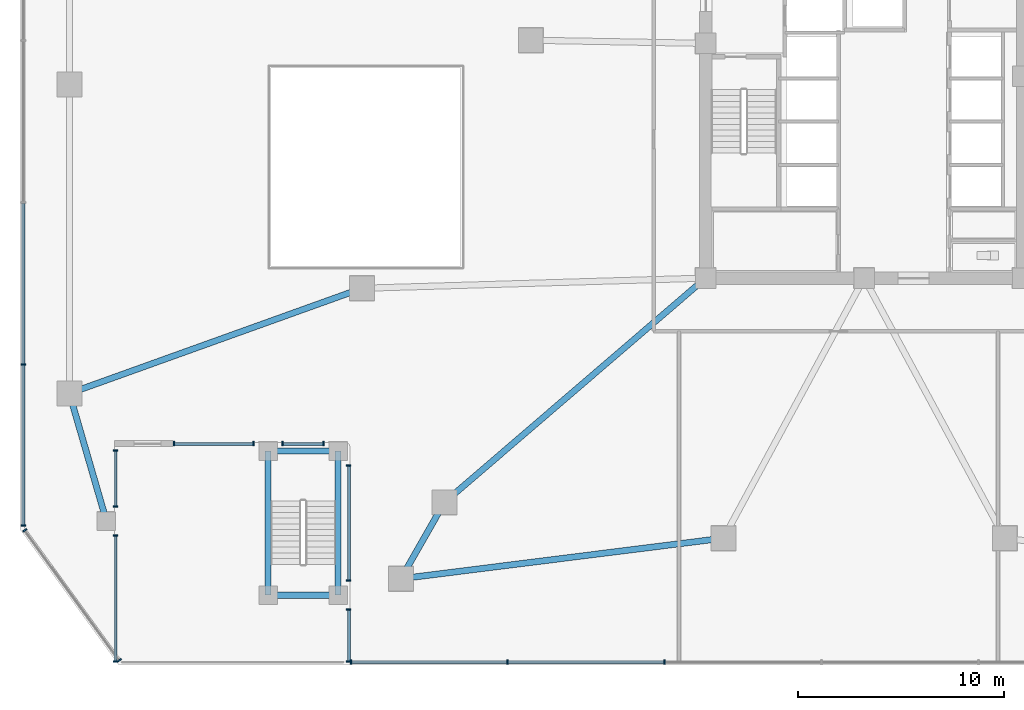
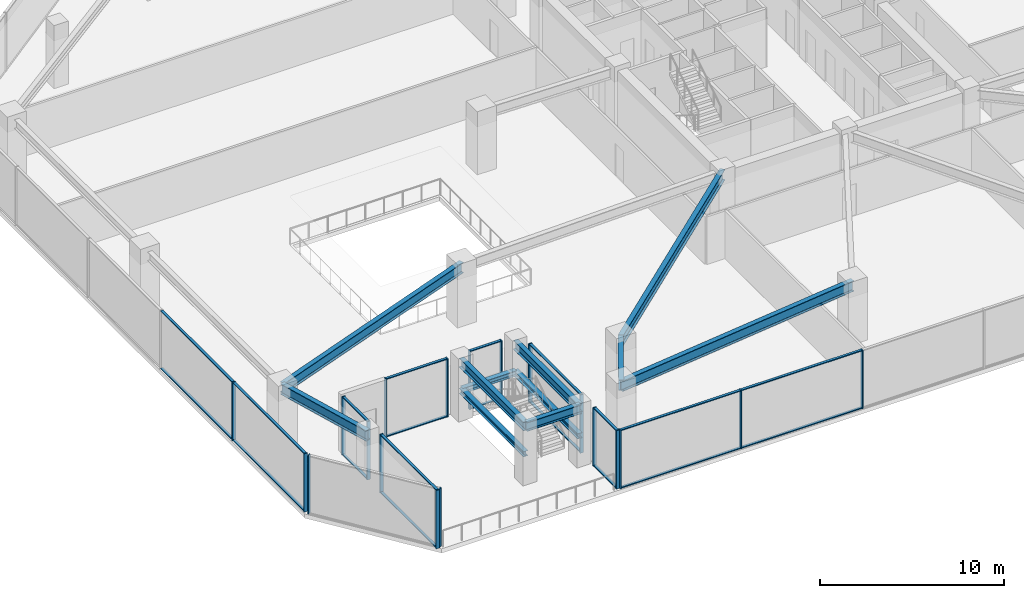
# One storey, part 2 of 22: 39 members, 11 beams, 9 elements without a shape of their own.
"""IFC4 building model written with IfcOpenShell, lengths in metres."""

from ifc_helpers import new_model, si_unit, direction, frame, origin, origin_2d, place, context, subcontext, project, spatial, rectangle, i_section, extrude, material, material_profile, profile_set, type_object, element, aggregate, save


model = new_model("IFC4")

# Units and contexts
model_context = context("Model", 3, precision=1e-05, world=origin(), true_north=direction((0.0, 1.0)))
body_context = subcontext(model_context, "Body", "Model", "MODEL_VIEW")
ifc_project = project(units=[si_unit("LENGTHUNIT", "METRE"), si_unit("AREAUNIT", "SQUARE_METRE"), si_unit("VOLUMEUNIT", "CUBIC_METRE"), si_unit("PLANEANGLEUNIT", "RADIAN"), si_unit("MASSUNIT", "GRAM", prefix="KILO")], contexts=[model_context])

# Site, building, storey
site_placement = place(None, origin())
site = spatial("IfcSite", under=ifc_project, at=site_placement, CompositionType="ELEMENT")
building_placement = place(site_placement, origin())
building = spatial("IfcBuilding", under=site, at=building_placement, Name="Savorim Split Tower", CompositionType="ELEMENT")
storey_placement = place(building_placement, frame((0.0, 0.0, 17.60009765625)))
storey = spatial("IfcBuildingStorey", under=building, at=storey_placement, Name="L04", CompositionType="ELEMENT", Elevation=17.60009765625)

# Beams
ifc_material_1 = material(Name="Steel S355", Category="steel")
ifc_material_profile_1 = material_profile(ifc_material_1, i_section(OverallWidth=0.300048828125, OverallDepth=0.60009765625, WebThickness=0.015380859375, FlangeThickness=0.030029296875, FilletRadius=0.027099609375, at=origin_2d()), Name="HEB 600")
ifc_profile_set_1 = profile_set([ifc_material_profile_1], Name="Steel S355")
beam_type_1 = type_object("IfcBeamType", Name="BM-PRI-HEB600", PredefinedType="BEAM", material=ifc_profile_set_1)
beam_1_placement = place(storey_placement, frame((-28.949951171875, -24.800048828125, 3.579833984375), z_axis=(1.0, 0.0, 0.0), x_axis=(0.0, 1.0, 0.0)))
element("IfcBeam", 1, at=beam_1_placement, inside=storey, type_object=beam_type_1, Name="L04 Exterior Garden Stair Framing Beam 1", PredefinedType="BEAM", context=body_context, shape_type="SweptSolid", body=[
    extrude(i_section(OverallWidth=0.300048828125, OverallDepth=0.60009765625, WebThickness=0.015380859375, FlangeThickness=0.030029296875, FilletRadius=0.027099609375, at=origin_2d()), origin(), (0.0, 0.0, 1.0), 3.39990234375),
])
for number, where, z_axis, x_axis, name in (
    (2, (-28.949951171875, -24.800048828125, 3.579833984375), (0.0, 1.0, 0.0), (-1.0, 0.0, 0.0), "L04 Exterior Garden Stair Framing Beam 3"),
    (3, (-25.550048828125, -24.800048828125, 3.579833984375), (0.0, 1.0, 0.0), (-1.0, 0.0, 0.0), "L04 Exterior Garden Stair Framing Beam 4"),
):
    element("IfcBeam", number, at=place(storey_placement, frame(where, z_axis=z_axis, x_axis=x_axis)), inside=storey, type_object=beam_type_1, Name=name, PredefinedType="BEAM", context=body_context, shape_type="SweptSolid", body=[
        extrude(i_section(OverallWidth=0.300048828125, OverallDepth=0.60009765625, WebThickness=0.015380859375, FlangeThickness=0.030029296875, FilletRadius=0.027099609375, at=origin_2d()), origin(), (0.0, 0.0, 1.0), 7.0),
    ])
ifc_material_profile_2 = material_profile(ifc_material_1, i_section(OverallWidth=0.300048828125, OverallDepth=0.699951171875, WebThickness=0.01708984375, FlangeThickness=0.031982421875, FilletRadius=0.027099609375, at=origin_2d()), Name="HEB 700")
ifc_profile_set_2 = profile_set([ifc_material_profile_2], Name="Steel S355")
beam_type_2 = type_object("IfcBeamType", Name="BM-PRI-HEB700", PredefinedType="BEAM", material=ifc_profile_set_2)
beam_2_placement = place(storey_placement, frame((-22.5, -24.0, 3.52978515625), z_axis=(0.495603085314, 0.868549124591, 0.0), x_axis=(-0.868549124591, 0.495603085314, 0.0)))
element("IfcBeam", 4, at=beam_2_placement, inside=storey, type_object=beam_type_2, Name="L04 Podium Primary Girder BG-01", PredefinedType="BEAM", context=body_context, shape_type="SweptSolid", body=[
    extrude(i_section(OverallWidth=0.300048828125, OverallDepth=0.699951171875, WebThickness=0.01708984375, FlangeThickness=0.031982421875, FilletRadius=0.027099609375, at=origin_2d()), origin(), (0.0, 0.0, 1.0), 4.26953125),
])
beam_3_placement = place(storey_placement, frame((-22.5, -24.0, 3.52978515625), z_axis=(0.992201816191, 0.124641710303, 0.0), x_axis=(-0.124641710303, 0.992201816191, 0.0)))
element("IfcBeam", 5, at=beam_3_placement, inside=storey, type_object=beam_type_2, Name="L04 Podium Primary Girder BG-02", PredefinedType="BEAM", context=body_context, shape_type="SweptSolid", body=[
    extrude(i_section(OverallWidth=0.300048828125, OverallDepth=0.699951171875, WebThickness=0.01708984375, FlangeThickness=0.031982421875, FilletRadius=0.027099609375, at=origin_2d()), origin(), (0.0, 0.0, 1.0), 15.791259765625),
])
beam_4_placement = place(storey_placement, frame((-38.60009765625, -15.0, 3.52978515625), z_axis=(0.941138119123, 0.338022248874, 0.0), x_axis=(-0.338022248874, 0.941138119123, 0.0)))
element("IfcBeam", 6, at=beam_4_placement, inside=storey, type_object=beam_type_2, Name="L04 Podium Primary Girder BG-19", PredefinedType="BEAM", context=body_context, shape_type="SweptSolid", body=[
    extrude(i_section(OverallWidth=0.300048828125, OverallDepth=0.699951171875, WebThickness=0.01708984375, FlangeThickness=0.031982421875, FilletRadius=0.027099609375, at=origin_2d()), origin(), (0.0, 0.0, 1.0), 15.104736328125),
])
beam_5_placement = place(storey_placement, frame((-38.60009765625, -15.0, 3.52978515625), z_axis=(0.278819195264, -0.960343613689, 0.0), x_axis=(0.960343613689, 0.278819195264, 0.0)))
element("IfcBeam", 7, at=beam_5_placement, inside=storey, type_object=beam_type_2, Name="L04 Podium Primary Girder BG-20", PredefinedType="BEAM", context=body_context, shape_type="SweptSolid", body=[
    extrude(i_section(OverallWidth=0.300048828125, OverallDepth=0.699951171875, WebThickness=0.01708984375, FlangeThickness=0.031982421875, FilletRadius=0.027099609375, at=origin_2d()), origin(), (0.0, 0.0, 1.0), 6.4560546875),
])
beam_6_placement = place(storey_placement, frame((-20.384033203125, -20.291748046875, 3.52978515625), z_axis=(0.758671842154, 0.651472974054, 0.0), x_axis=(-0.651472974054, 0.758671842154, 0.0)))
element("IfcBeam", 8, at=beam_6_placement, inside=storey, type_object=beam_type_2, Name="L04 Podium Primary Girder BG-22", PredefinedType="BEAM", context=body_context, shape_type="SweptSolid", body=[
    extrude(i_section(OverallWidth=0.300048828125, OverallDepth=0.699951171875, WebThickness=0.01708984375, FlangeThickness=0.031982421875, FilletRadius=0.027099609375, at=origin_2d()), origin(), (0.0, 0.0, 1.0), 16.71875),
])
ifc_material_profile_3 = material_profile(ifc_material_1, i_section(OverallWidth=0.300048828125, OverallDepth=0.35009765625, WebThickness=0.010009765625, FlangeThickness=0.017578125, FilletRadius=0.027099609375, at=origin_2d()), Name="HEA 360")
ifc_profile_set_3 = profile_set([ifc_material_profile_3], Name="Steel S355")
beam_type_3 = type_object("IfcBeamType", Name="BM-SPN-HEA360", PredefinedType="SPANDREL", material=ifc_profile_set_3)
beam_7_placement = place(storey_placement, frame((-28.949951171875, -17.800048828125, 1.724853515625), z_axis=(1.0, 0.0, 0.0), x_axis=(0.0, 1.0, 0.0)))
element("IfcBeam", 9, at=beam_7_placement, inside=storey, type_object=beam_type_3, Name="L04 Garden Stair Half-Landing Beam 1", PredefinedType="SPANDREL", context=body_context, shape_type="SweptSolid", body=[
    extrude(i_section(OverallWidth=0.300048828125, OverallDepth=0.35009765625, WebThickness=0.010009765625, FlangeThickness=0.017578125, FilletRadius=0.027099609375, at=origin_2d()), origin(), (0.0, 0.0, 1.0), 3.39990234375),
])
for number, where, z_axis, x_axis, name in (
    (10, (-28.949951171875, -24.800048828125, 1.724853515625), (0.0, 1.0, 0.0), (-1.0, 0.0, 0.0), "L04 Garden Stair Half-Landing Beam 2"),
    (11, (-25.550048828125, -24.800048828125, 1.724853515625), (0.0, 1.0, 0.0), (-1.0, 0.0, 0.0), "L04 Garden Stair Half-Landing Beam 3"),
):
    element("IfcBeam", number, at=place(storey_placement, frame(where, z_axis=z_axis, x_axis=x_axis)), inside=storey, type_object=beam_type_3, Name=name, PredefinedType="SPANDREL", context=body_context, shape_type="SweptSolid", body=[
        extrude(i_section(OverallWidth=0.300048828125, OverallDepth=0.35009765625, WebThickness=0.010009765625, FlangeThickness=0.017578125, FilletRadius=0.027099609375, at=origin_2d()), origin(), (0.0, 0.0, 1.0), 7.0),
    ])

# Curtain wall, members
ifc_material_2 = material(Name="Dark Ceramic-Fritted Insulated Glass", Category="glass")
curtain_wall_type = type_object("IfcCurtainWallType", Name="CW-POD-GLZ", PredefinedType="NOTDEFINED", material=ifc_material_2)
curtain_wall_1_placement = place(storey_placement, origin())
curtain_wall_1 = element("IfcCurtainWall", 12, at=curtain_wall_1_placement, inside=storey, type_object=curtain_wall_type, Name="L04 Curtain Wall CW-L04-E01S1", PredefinedType="NOTDEFINED")
ifc_material_3 = material(Name="Charcoal Anodised Aluminium", Category="aluminium")
ifc_material_profile_4 = material_profile(ifc_material_3, rectangle(XDim=0.219970703125, YDim=0.070068359375, at=origin_2d()), Name="ALU-M 220x70")
ifc_profile_set_4 = profile_set([ifc_material_profile_4], Name="Charcoal Anodised Aluminium")
member_type_1 = type_object("IfcMemberType", Name="CWM-220x70", PredefinedType="MULLION", material=ifc_profile_set_4)
member_1_placement = place(storey_placement, frame((-36.360107421875, -28.02490234375, 0.0), z_axis=(0.0, 0.0, 1.0), x_axis=(-1.0, 0.0, 0.0)))
member_1 = element("IfcMember", 13, at=member_1_placement, type_object=member_type_1, Name="CW-01 mullion 1", PredefinedType="MULLION", context=body_context, shape_type="SweptSolid", body=[
    extrude(rectangle(XDim=0.219970703125, YDim=0.070068359375, at=origin_2d()), origin(), (0.0, 0.0, 1.0), 3.8798828125),
])
member_2_placement = place(storey_placement, frame((-36.360107421875, -21.905029296875, 0.0), z_axis=(0.0, 0.0, 1.0), x_axis=(-1.0, 0.0, 0.0)))
member_2 = element("IfcMember", 14, at=member_2_placement, type_object=member_type_1, Name="CW-01 mullion 2", PredefinedType="MULLION", context=body_context, shape_type="SweptSolid", body=[
    extrude(rectangle(XDim=0.219970703125, YDim=0.070068359375, at=origin_2d()), origin(), (0.0, 0.0, 1.0), 3.8798828125),
])

curtain_wall_2_placement = place(storey_placement, origin())
curtain_wall_2 = element("IfcCurtainWall", 15, at=curtain_wall_2_placement, inside=storey, type_object=curtain_wall_type, Name="L04 Curtain Wall CW-L04-E01S2", PredefinedType="NOTDEFINED")
member_3_placement = place(storey_placement, frame((-36.360107421875, -20.4951171875, 0.0), z_axis=(0.0, 0.0, 1.0), x_axis=(-1.0, 0.0, 0.0)))
member_3 = element("IfcMember", 16, at=member_3_placement, type_object=member_type_1, Name="CW-01 mullion 1", PredefinedType="MULLION", context=body_context, shape_type="SweptSolid", body=[
    extrude(rectangle(XDim=0.219970703125, YDim=0.070068359375, at=origin_2d()), origin(), (0.0, 0.0, 1.0), 3.8798828125),
])
member_4_placement = place(storey_placement, frame((-36.360107421875, -17.77490234375, 0.0), z_axis=(0.0, 0.0, 1.0), x_axis=(-1.0, 0.0, 0.0)))
member_4 = element("IfcMember", 17, at=member_4_placement, type_object=member_type_1, Name="CW-01 mullion 2", PredefinedType="MULLION", context=body_context, shape_type="SweptSolid", body=[
    extrude(rectangle(XDim=0.219970703125, YDim=0.070068359375, at=origin_2d()), origin(), (0.0, 0.0, 1.0), 3.8798828125),
])

curtain_wall_3_placement = place(storey_placement, origin())
curtain_wall_3 = element("IfcCurtainWall", 18, at=curtain_wall_3_placement, inside=storey, type_object=curtain_wall_type, Name="L04 Curtain Wall CW-L04-E02S1", PredefinedType="NOTDEFINED")
member_5_placement = place(storey_placement, frame((-33.52490234375, -17.43994140625, 0.0), z_axis=(0.0, 0.0, 1.0), x_axis=(0.0, 1.0, 0.0)))
member_5 = element("IfcMember", 19, at=member_5_placement, type_object=member_type_1, Name="CW-01 mullion 1", PredefinedType="MULLION", context=body_context, shape_type="SweptSolid", body=[
    extrude(rectangle(XDim=0.219970703125, YDim=0.070068359375, at=origin_2d()), origin(), (0.0, 0.0, 1.0), 3.8798828125),
])
member_6_placement = place(storey_placement, frame((-29.655029296875, -17.43994140625, 0.0), z_axis=(0.0, 0.0, 1.0), x_axis=(0.0, 1.0, 0.0)))
member_6 = element("IfcMember", 20, at=member_6_placement, type_object=member_type_1, Name="CW-01 mullion 2", PredefinedType="MULLION", context=body_context, shape_type="SweptSolid", body=[
    extrude(rectangle(XDim=0.219970703125, YDim=0.070068359375, at=origin_2d()), origin(), (0.0, 0.0, 1.0), 3.8798828125),
])

curtain_wall_4_placement = place(storey_placement, origin())
curtain_wall_4 = element("IfcCurtainWall", 21, at=curtain_wall_4_placement, inside=storey, type_object=curtain_wall_type, Name="L04 Curtain Wall CW-L04-E02S2", PredefinedType="NOTDEFINED")
member_7_placement = place(storey_placement, frame((-28.2451171875, -17.43994140625, 0.0), z_axis=(0.0, 0.0, 1.0), x_axis=(0.0, 1.0, 0.0)))
member_7 = element("IfcMember", 22, at=member_7_placement, type_object=member_type_1, Name="CW-01 mullion 1", PredefinedType="MULLION", context=body_context, shape_type="SweptSolid", body=[
    extrude(rectangle(XDim=0.219970703125, YDim=0.070068359375, at=origin_2d()), origin(), (0.0, 0.0, 1.0), 3.8798828125),
])
member_8_placement = place(storey_placement, frame((-26.2548828125, -17.43994140625, 0.0), z_axis=(0.0, 0.0, 1.0), x_axis=(0.0, 1.0, 0.0)))
member_8 = element("IfcMember", 23, at=member_8_placement, type_object=member_type_1, Name="CW-01 mullion 2", PredefinedType="MULLION", context=body_context, shape_type="SweptSolid", body=[
    extrude(rectangle(XDim=0.219970703125, YDim=0.070068359375, at=origin_2d()), origin(), (0.0, 0.0, 1.0), 3.8798828125),
])

curtain_wall_5_placement = place(storey_placement, origin())
curtain_wall_5 = element("IfcCurtainWall", 24, at=curtain_wall_5_placement, inside=storey, type_object=curtain_wall_type, Name="L04 Curtain Wall CW-L04-E03S1", PredefinedType="NOTDEFINED")
member_9_placement = place(storey_placement, frame((-25.0400390625, -18.5048828125, 0.0), z_axis=(0.0, 0.0, 1.0), x_axis=(1.0, 0.0, 0.0)))
member_9 = element("IfcMember", 25, at=member_9_placement, type_object=member_type_1, Name="CW-01 mullion 1", PredefinedType="MULLION", context=body_context, shape_type="SweptSolid", body=[
    extrude(rectangle(XDim=0.219970703125, YDim=0.070068359375, at=origin_2d()), origin(), (0.0, 0.0, 1.0), 3.8798828125),
])
member_10_placement = place(storey_placement, frame((-25.0400390625, -24.094970703125, 0.0), z_axis=(0.0, 0.0, 1.0), x_axis=(1.0, 0.0, 0.0)))
member_10 = element("IfcMember", 26, at=member_10_placement, type_object=member_type_1, Name="CW-01 mullion 2", PredefinedType="MULLION", context=body_context, shape_type="SweptSolid", body=[
    extrude(rectangle(XDim=0.219970703125, YDim=0.070068359375, at=origin_2d()), origin(), (0.0, 0.0, 1.0), 3.8798828125),
])

curtain_wall_6_placement = place(storey_placement, origin())
curtain_wall_6 = element("IfcCurtainWall", 27, at=curtain_wall_6_placement, inside=storey, type_object=curtain_wall_type, Name="L04 Curtain Wall CW-L04-E03S2", PredefinedType="NOTDEFINED")
member_11_placement = place(storey_placement, frame((-25.0400390625, -25.5048828125, 0.0), z_axis=(0.0, 0.0, 1.0), x_axis=(1.0, 0.0, 0.0)))
member_11 = element("IfcMember", 28, at=member_11_placement, type_object=member_type_1, Name="CW-01 mullion 1", PredefinedType="MULLION", context=body_context, shape_type="SweptSolid", body=[
    extrude(rectangle(XDim=0.219970703125, YDim=0.070068359375, at=origin_2d()), origin(), (0.0, 0.0, 1.0), 3.8798828125),
])
member_12_placement = place(storey_placement, frame((-25.0400390625, -28.02490234375, 0.0), z_axis=(0.0, 0.0, 1.0), x_axis=(1.0, 0.0, 0.0)))
member_12 = element("IfcMember", 29, at=member_12_placement, type_object=member_type_1, Name="CW-01 mullion 2", PredefinedType="MULLION", context=body_context, shape_type="SweptSolid", body=[
    extrude(rectangle(XDim=0.219970703125, YDim=0.070068359375, at=origin_2d()), origin(), (0.0, 0.0, 1.0), 3.8798828125),
])

curtain_wall_7_placement = place(storey_placement, origin())
curtain_wall_7 = element("IfcCurtainWall", 30, at=curtain_wall_7_placement, inside=storey, type_object=curtain_wall_type, Name="L04 Curtain Wall CW-L04-E04", PredefinedType="NOTDEFINED")
member_13_placement = place(storey_placement, frame((-24.919921875, -28.0400390625, 0.0), z_axis=(0.0, 0.0, 1.0), x_axis=(0.0, 1.0, 0.0)))
member_13 = element("IfcMember", 31, at=member_13_placement, type_object=member_type_1, Name="CW-01 mullion 1", PredefinedType="MULLION", context=body_context, shape_type="SweptSolid", body=[
    extrude(rectangle(XDim=0.219970703125, YDim=0.070068359375, at=origin_2d()), origin(), (0.0, 0.0, 1.0), 3.8798828125),
])
member_14_placement = place(storey_placement, frame((-17.328125, -28.0400390625, 0.0), z_axis=(0.0, 0.0, 1.0), x_axis=(0.0, 1.0, 0.0)))
member_14 = element("IfcMember", 32, at=member_14_placement, type_object=member_type_1, Name="CW-01 mullion 2", PredefinedType="MULLION", context=body_context, shape_type="SweptSolid", body=[
    extrude(rectangle(XDim=0.219970703125, YDim=0.070068359375, at=origin_2d()), origin(), (0.0, 0.0, 1.0), 3.8798828125),
])
member_15_placement = place(storey_placement, frame((-9.701171875, -28.0400390625, 0.0), z_axis=(0.0, 0.0, 1.0), x_axis=(0.0, 1.0, 0.0)))
member_15 = element("IfcMember", 33, at=member_15_placement, type_object=member_type_1, Name="CW-01 mullion 3", PredefinedType="MULLION", context=body_context, shape_type="SweptSolid", body=[
    extrude(rectangle(XDim=0.219970703125, YDim=0.070068359375, at=origin_2d()), origin(), (0.0, 0.0, 1.0), 3.8798828125),
])

curtain_wall_8_placement = place(storey_placement, origin())
curtain_wall_8 = element("IfcCurtainWall", 34, at=curtain_wall_8_placement, inside=storey, type_object=curtain_wall_type, Name="L04 Curtain Wall CW-L04-E10", PredefinedType="NOTDEFINED")
member_16_placement = place(storey_placement, frame((-40.840087890625, -13.595947265625, 0.0), z_axis=(0.0, 0.0, 1.0), x_axis=(1.0, 0.0, 0.0)))
member_16 = element("IfcMember", 35, at=member_16_placement, type_object=member_type_1, Name="CW-01 mullion 5", PredefinedType="MULLION", context=body_context, shape_type="SweptSolid", body=[
    extrude(rectangle(XDim=0.219970703125, YDim=0.070068359375, at=origin_2d()), origin(), (0.0, 0.0, 1.0), 3.8798828125),
])
member_17_placement = place(storey_placement, frame((-40.840087890625, -21.425048828125, 0.0), z_axis=(0.0, 0.0, 1.0), x_axis=(1.0, 0.0, 0.0)))
member_17 = element("IfcMember", 36, at=member_17_placement, type_object=member_type_1, Name="CW-01 mullion 6", PredefinedType="MULLION", context=body_context, shape_type="SweptSolid", body=[
    extrude(rectangle(XDim=0.219970703125, YDim=0.070068359375, at=origin_2d()), origin(), (0.0, 0.0, 1.0), 3.8798828125),
])

curtain_wall_9_placement = place(storey_placement, origin())
curtain_wall_9 = element("IfcCurtainWall", 37, at=curtain_wall_9_placement, inside=storey, type_object=curtain_wall_type, Name="L04 Curtain Wall CW-L04-E11", PredefinedType="NOTDEFINED")
member_18_placement = place(storey_placement, frame((-40.767822265625, -21.6474609375, 0.0), z_axis=(0.0, 0.0, 1.0), x_axis=(0.808732792063, 0.588176224478, 0.0)))
member_18 = element("IfcMember", 38, at=member_18_placement, type_object=member_type_1, Name="CW-01 mullion 1", PredefinedType="MULLION", context=body_context, shape_type="SweptSolid", body=[
    extrude(rectangle(XDim=0.219970703125, YDim=0.070068359375, at=origin_2d()), origin(), (0.0, 0.0, 1.0), 3.8798828125),
])
member_19_placement = place(storey_placement, frame((-36.173583984375, -27.96435546875, 0.0), z_axis=(0.0, 0.0, 1.0), x_axis=(0.808732792063, 0.588176224478, 0.0)))
member_19 = element("IfcMember", 39, at=member_19_placement, type_object=member_type_1, Name="CW-01 mullion 2", PredefinedType="MULLION", context=body_context, shape_type="SweptSolid", body=[
    extrude(rectangle(XDim=0.219970703125, YDim=0.070068359375, at=origin_2d()), origin(), (0.0, 0.0, 1.0), 3.8798828125),
])
aggregate(curtain_wall_9, [member_18, member_19])

# Member
ifc_material_profile_5 = material_profile(ifc_material_3, rectangle(XDim=0.159912109375, YDim=0.06005859375, at=origin_2d()), Name="ALU-T 160x60")
ifc_profile_set_5 = profile_set([ifc_material_profile_5], Name="Charcoal Anodised Aluminium")
member_type_2 = type_object("IfcMemberType", Name="CWT-160x60", PredefinedType="USERDEFINED", material=ifc_profile_set_5)
member_20_placement = place(storey_placement, frame((-36.360107421875, -27.989990234375, 0.02978515625), z_axis=(0.0, 1.0, 0.0), x_axis=(-1.0, 0.0, 0.0)))
member_20 = element("IfcMember", 40, at=member_20_placement, type_object=member_type_2, Name="CW-01 transom 1.1", ObjectType="TRANSOM", PredefinedType="USERDEFINED", context=body_context, shape_type="SweptSolid", body=[
    extrude(rectangle(XDim=0.159912109375, YDim=0.06005859375, at=origin_2d()), origin(), (0.0, 0.0, 1.0), 6.050048828125),
])

member_21_placement = place(storey_placement, frame((-36.360107421875, -27.989990234375, 3.849853515625), z_axis=(0.0, 1.0, 0.0), x_axis=(-1.0, 0.0, 0.0)))
member_21 = element("IfcMember", 41, at=member_21_placement, type_object=member_type_2, Name="CW-01 transom 1.2", ObjectType="TRANSOM", PredefinedType="USERDEFINED", context=body_context, shape_type="SweptSolid", body=[
    extrude(rectangle(XDim=0.159912109375, YDim=0.06005859375, at=origin_2d()), origin(), (0.0, 0.0, 1.0), 6.050048828125),
])

aggregate(curtain_wall_1, [member_1, member_2, member_20, member_21])

member_22_placement = place(storey_placement, frame((-36.360107421875, -20.4599609375, 0.02978515625), z_axis=(0.0, 1.0, 0.0), x_axis=(-1.0, 0.0, 0.0)))
member_22 = element("IfcMember", 42, at=member_22_placement, type_object=member_type_2, Name="CW-01 transom 1.1", ObjectType="TRANSOM", PredefinedType="USERDEFINED", context=body_context, shape_type="SweptSolid", body=[
    extrude(rectangle(XDim=0.159912109375, YDim=0.06005859375, at=origin_2d()), origin(), (0.0, 0.0, 1.0), 2.64990234375),
])

member_23_placement = place(storey_placement, frame((-36.360107421875, -20.4599609375, 3.849853515625), z_axis=(0.0, 1.0, 0.0), x_axis=(-1.0, 0.0, 0.0)))
member_23 = element("IfcMember", 43, at=member_23_placement, type_object=member_type_2, Name="CW-01 transom 1.2", ObjectType="TRANSOM", PredefinedType="USERDEFINED", context=body_context, shape_type="SweptSolid", body=[
    extrude(rectangle(XDim=0.159912109375, YDim=0.06005859375, at=origin_2d()), origin(), (0.0, 0.0, 1.0), 2.64990234375),
])

aggregate(curtain_wall_2, [member_3, member_4, member_22, member_23])

member_24_placement = place(storey_placement, frame((-33.489990234375, -17.43994140625, 0.02978515625), z_axis=(1.0, 0.0, 0.0), x_axis=(0.0, 1.0, 0.0)))
member_24 = element("IfcMember", 44, at=member_24_placement, type_object=member_type_2, Name="CW-01 transom 1.1", ObjectType="TRANSOM", PredefinedType="USERDEFINED", context=body_context, shape_type="SweptSolid", body=[
    extrude(rectangle(XDim=0.159912109375, YDim=0.06005859375, at=origin_2d()), origin(), (0.0, 0.0, 1.0), 3.800048828125),
])

member_25_placement = place(storey_placement, frame((-33.489990234375, -17.43994140625, 3.849853515625), z_axis=(1.0, 0.0, 0.0), x_axis=(0.0, 1.0, 0.0)))
member_25 = element("IfcMember", 45, at=member_25_placement, type_object=member_type_2, Name="CW-01 transom 1.2", ObjectType="TRANSOM", PredefinedType="USERDEFINED", context=body_context, shape_type="SweptSolid", body=[
    extrude(rectangle(XDim=0.159912109375, YDim=0.06005859375, at=origin_2d()), origin(), (0.0, 0.0, 1.0), 3.800048828125),
])

aggregate(curtain_wall_3, [member_5, member_6, member_24, member_25])

member_26_placement = place(storey_placement, frame((-28.2099609375, -17.43994140625, 0.02978515625), z_axis=(1.0, 0.0, 0.0), x_axis=(0.0, 1.0, 0.0)))
member_26 = element("IfcMember", 46, at=member_26_placement, type_object=member_type_2, Name="CW-01 transom 1.1", ObjectType="TRANSOM", PredefinedType="USERDEFINED", context=body_context, shape_type="SweptSolid", body=[
    extrude(rectangle(XDim=0.159912109375, YDim=0.06005859375, at=origin_2d()), origin(), (0.0, 0.0, 1.0), 1.919921875),
])

member_27_placement = place(storey_placement, frame((-28.2099609375, -17.43994140625, 3.849853515625), z_axis=(1.0, 0.0, 0.0), x_axis=(0.0, 1.0, 0.0)))
member_27 = element("IfcMember", 47, at=member_27_placement, type_object=member_type_2, Name="CW-01 transom 1.2", ObjectType="TRANSOM", PredefinedType="USERDEFINED", context=body_context, shape_type="SweptSolid", body=[
    extrude(rectangle(XDim=0.159912109375, YDim=0.06005859375, at=origin_2d()), origin(), (0.0, 0.0, 1.0), 1.919921875),
])

aggregate(curtain_wall_4, [member_7, member_8, member_26, member_27])

member_28_placement = place(storey_placement, frame((-25.0400390625, -18.5400390625, 0.02978515625), z_axis=(0.0, -1.0, 0.0), x_axis=(1.0, 0.0, 0.0)))
member_28 = element("IfcMember", 48, at=member_28_placement, type_object=member_type_2, Name="CW-01 transom 1.1", ObjectType="TRANSOM", PredefinedType="USERDEFINED", context=body_context, shape_type="SweptSolid", body=[
    extrude(rectangle(XDim=0.159912109375, YDim=0.06005859375, at=origin_2d()), origin(), (0.0, 0.0, 1.0), 5.52001953125),
])

member_29_placement = place(storey_placement, frame((-25.0400390625, -18.5400390625, 3.849853515625), z_axis=(0.0, -1.0, 0.0), x_axis=(1.0, 0.0, 0.0)))
member_29 = element("IfcMember", 49, at=member_29_placement, type_object=member_type_2, Name="CW-01 transom 1.2", ObjectType="TRANSOM", PredefinedType="USERDEFINED", context=body_context, shape_type="SweptSolid", body=[
    extrude(rectangle(XDim=0.159912109375, YDim=0.06005859375, at=origin_2d()), origin(), (0.0, 0.0, 1.0), 5.52001953125),
])

aggregate(curtain_wall_5, [member_9, member_10, member_28, member_29])

member_30_placement = place(storey_placement, frame((-25.0400390625, -25.5400390625, 0.02978515625), z_axis=(0.0, -1.0, 0.0), x_axis=(1.0, 0.0, 0.0)))
member_30 = element("IfcMember", 50, at=member_30_placement, type_object=member_type_2, Name="CW-01 transom 1.1", ObjectType="TRANSOM", PredefinedType="USERDEFINED", context=body_context, shape_type="SweptSolid", body=[
    extrude(rectangle(XDim=0.159912109375, YDim=0.06005859375, at=origin_2d()), origin(), (0.0, 0.0, 1.0), 2.449951171875),
])

member_31_placement = place(storey_placement, frame((-25.0400390625, -25.5400390625, 3.849853515625), z_axis=(0.0, -1.0, 0.0), x_axis=(1.0, 0.0, 0.0)))
member_31 = element("IfcMember", 51, at=member_31_placement, type_object=member_type_2, Name="CW-01 transom 1.2", ObjectType="TRANSOM", PredefinedType="USERDEFINED", context=body_context, shape_type="SweptSolid", body=[
    extrude(rectangle(XDim=0.159912109375, YDim=0.06005859375, at=origin_2d()), origin(), (0.0, 0.0, 1.0), 2.449951171875),
])

aggregate(curtain_wall_6, [member_11, member_12, member_30, member_31])

member_32_placement = place(storey_placement, frame((-24.885009765625, -28.0400390625, 0.02978515625), z_axis=(1.0, 0.0, 0.0), x_axis=(0.0, 1.0, 0.0)))
member_32 = element("IfcMember", 52, at=member_32_placement, type_object=member_type_2, Name="CW-01 transom 1.1", ObjectType="TRANSOM", PredefinedType="USERDEFINED", context=body_context, shape_type="SweptSolid", body=[
    extrude(rectangle(XDim=0.159912109375, YDim=0.06005859375, at=origin_2d()), origin(), (0.0, 0.0, 1.0), 7.52197265625),
])

member_33_placement = place(storey_placement, frame((-24.885009765625, -28.0400390625, 3.849853515625), z_axis=(1.0, 0.0, 0.0), x_axis=(0.0, 1.0, 0.0)))
member_33 = element("IfcMember", 53, at=member_33_placement, type_object=member_type_2, Name="CW-01 transom 1.2", ObjectType="TRANSOM", PredefinedType="USERDEFINED", context=body_context, shape_type="SweptSolid", body=[
    extrude(rectangle(XDim=0.159912109375, YDim=0.06005859375, at=origin_2d()), origin(), (0.0, 0.0, 1.0), 7.52197265625),
])

member_34_placement = place(storey_placement, frame((-17.293212890625, -28.0400390625, 0.02978515625), z_axis=(1.0, 0.0, 0.0), x_axis=(0.0, 1.0, 0.0)))
member_34 = element("IfcMember", 54, at=member_34_placement, type_object=member_type_2, Name="CW-01 transom 2.1", ObjectType="TRANSOM", PredefinedType="USERDEFINED", context=body_context, shape_type="SweptSolid", body=[
    extrude(rectangle(XDim=0.159912109375, YDim=0.06005859375, at=origin_2d()), origin(), (0.0, 0.0, 1.0), 7.556884765625),
])

member_35_placement = place(storey_placement, frame((-17.293212890625, -28.0400390625, 3.849853515625), z_axis=(1.0, 0.0, 0.0), x_axis=(0.0, 1.0, 0.0)))
member_35 = element("IfcMember", 55, at=member_35_placement, type_object=member_type_2, Name="CW-01 transom 2.2", ObjectType="TRANSOM", PredefinedType="USERDEFINED", context=body_context, shape_type="SweptSolid", body=[
    extrude(rectangle(XDim=0.159912109375, YDim=0.06005859375, at=origin_2d()), origin(), (0.0, 0.0, 1.0), 7.556884765625),
])

aggregate(curtain_wall_7, [member_13, member_14, member_15, member_32, member_33, member_34, member_35])

member_36_placement = place(storey_placement, frame((-40.840087890625, -5.76708984375, 0.02978515625), z_axis=(0.0, -1.0, 0.0), x_axis=(1.0, 0.0, 0.0)))
member_36 = element("IfcMember", 56, at=member_36_placement, type_object=member_type_2, Name="CW-01 transom 4.1", ObjectType="TRANSOM", PredefinedType="USERDEFINED", context=body_context, shape_type="SweptSolid", body=[
    extrude(rectangle(XDim=0.159912109375, YDim=0.06005859375, at=origin_2d()), origin(), (0.0, 0.0, 1.0), 7.7939453125),
])

member_37_placement = place(storey_placement, frame((-40.840087890625, -5.76708984375, 3.849853515625), z_axis=(0.0, -1.0, 0.0), x_axis=(1.0, 0.0, 0.0)))
member_37 = element("IfcMember", 57, at=member_37_placement, type_object=member_type_2, Name="CW-01 transom 4.2", ObjectType="TRANSOM", PredefinedType="USERDEFINED", context=body_context, shape_type="SweptSolid", body=[
    extrude(rectangle(XDim=0.159912109375, YDim=0.06005859375, at=origin_2d()), origin(), (0.0, 0.0, 1.0), 7.7939453125),
])

member_38_placement = place(storey_placement, frame((-40.840087890625, -13.631103515625, 0.02978515625), z_axis=(0.0, -1.0, 0.0), x_axis=(1.0, 0.0, 0.0)))
member_38 = element("IfcMember", 58, at=member_38_placement, type_object=member_type_2, Name="CW-01 transom 5.1", ObjectType="TRANSOM", PredefinedType="USERDEFINED", context=body_context, shape_type="SweptSolid", body=[
    extrude(rectangle(XDim=0.159912109375, YDim=0.06005859375, at=origin_2d()), origin(), (0.0, 0.0, 1.0), 7.7587890625),
])

member_39_placement = place(storey_placement, frame((-40.840087890625, -13.631103515625, 3.849853515625), z_axis=(0.0, -1.0, 0.0), x_axis=(1.0, 0.0, 0.0)))
member_39 = element("IfcMember", 59, at=member_39_placement, type_object=member_type_2, Name="CW-01 transom 5.2", ObjectType="TRANSOM", PredefinedType="USERDEFINED", context=body_context, shape_type="SweptSolid", body=[
    extrude(rectangle(XDim=0.159912109375, YDim=0.06005859375, at=origin_2d()), origin(), (0.0, 0.0, 1.0), 7.7587890625),
])

aggregate(curtain_wall_8, [member_16, member_17, member_36, member_37, member_38, member_39])

save(model, "model.ifc")
